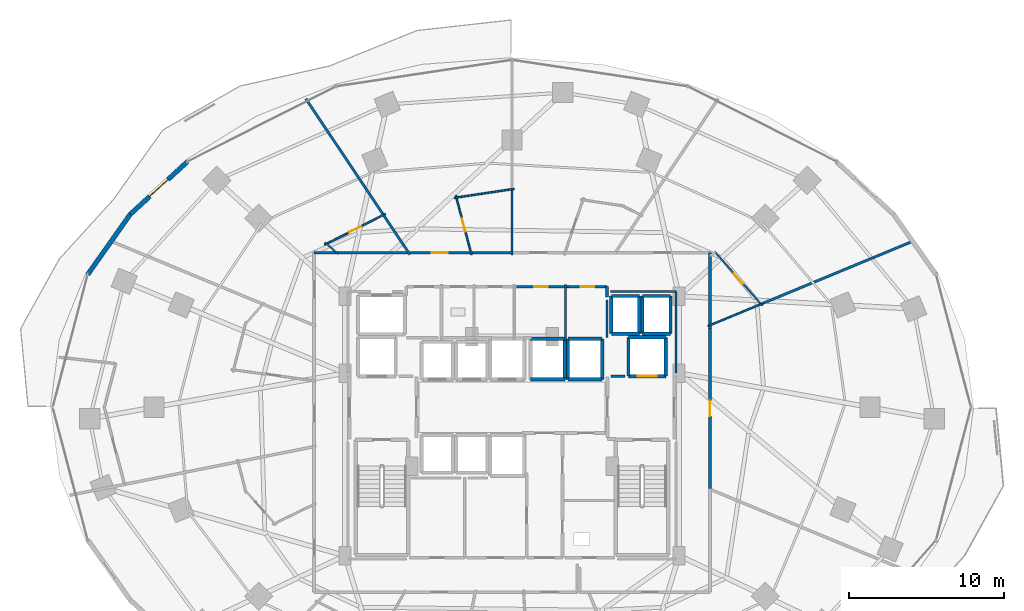
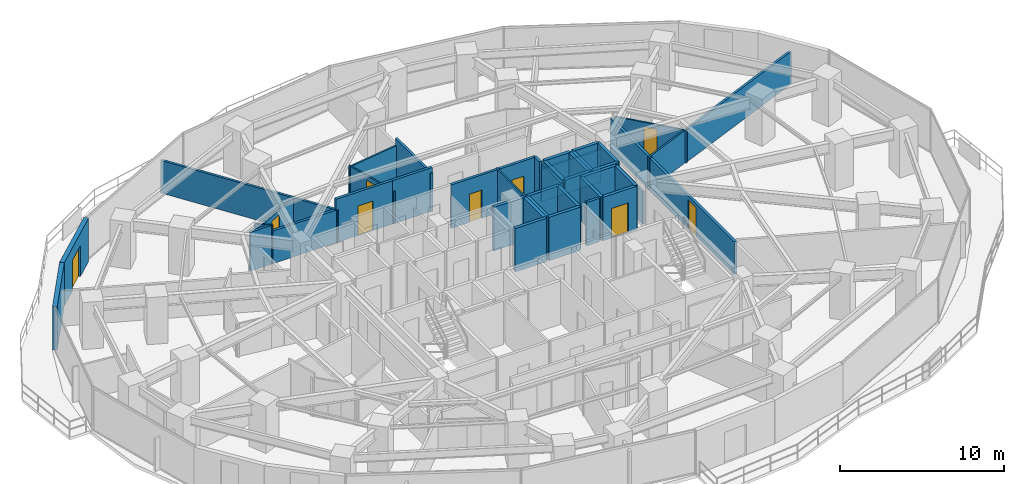
# One storey, part 30 of 35: 45 walls, 9 doors, 9 openings.
"""IFC4 building model written with IfcOpenShell, lengths in metres."""

from ifc_helpers import new_model, si_unit, direction, frame, frame_2d, origin, place, context, subcontext, project, spatial, rectangle, extrude, material, layer, layer_set, type_object, element, fill, save


model = new_model("IFC4")

# Units and contexts
model_context = context("Model", 3, precision=1e-05, world=origin(), true_north=direction((0.0, 1.0)))
body_context = subcontext(model_context, "Body", "Model", "MODEL_VIEW")
ifc_project = project(units=[si_unit("LENGTHUNIT", "METRE"), si_unit("AREAUNIT", "SQUARE_METRE"), si_unit("VOLUMEUNIT", "CUBIC_METRE"), si_unit("PLANEANGLEUNIT", "RADIAN"), si_unit("MASSUNIT", "GRAM", prefix="KILO")], contexts=[model_context])

# Site, building, storey
site_placement = place(None, origin())
site = spatial("IfcSite", under=ifc_project, at=site_placement, CompositionType="ELEMENT")
building_placement = place(site_placement, origin())
building = spatial("IfcBuilding", under=site, at=building_placement, Name="Vorneva Point Tower", CompositionType="ELEMENT")
storey_placement = place(building_placement, frame((0.0, 0.0, 45.0)))
storey = spatial("IfcBuildingStorey", under=building, at=storey_placement, Name="L11", CompositionType="ELEMENT", Elevation=45.0)

# Wall, opening, door
ifc_material_1 = material(Name="Concrete B60 (C50/60)", Category="concrete")
ifc_layer_1 = layer(ifc_material_1, 0.5)
ifc_layer_set_1 = layer_set([ifc_layer_1], Name="Concrete B60 (C50/60)")
wall_type_1 = type_object("IfcWallType", Name="WL-CORE-500", PredefinedType="SHEAR", material=ifc_layer_set_1)
wall_1_placement = place(storey_placement, frame((45.5, 28.0, 0.0), z_axis=(0.0, 0.0, 1.0), x_axis=(1.0, 0.0, 0.0)))
wall_1 = element("IfcWall", 1, at=wall_1_placement, inside=storey, type_object=wall_type_1, Name="L11 Lift FFL2 Shaft Wall -Y", PredefinedType="SHEAR", context=body_context, shape_type="SweptSolid", body=[
    extrude(rectangle(XDim=2.39990234375, YDim=0.219970703125, at=frame_2d((1.199951171875, 0.0))), origin(), (0.0, 0.0, 1.0), 3.239990234375),
])
opening_1_placement = place(wall_1_placement, frame((0.60009765625, 0.0, 0.0)))
opening_1 = element("IfcOpeningElement", 2, at=opening_1_placement, cuts=wall_1, Name="Opening LD-02", PredefinedType="OPENING", context=body_context, shape_type="SweptSolid", body=[
    extrude(rectangle(XDim=1.199951171875, YDim=2.199951171875, at=frame_2d((0.60009765625, 1.10009765625))), frame((0.0, 0.125, 0.0), z_axis=(0.0, -1.0, 0.0), x_axis=(1.0, 0.0, 0.0)), (0.0, 0.0, 1.0), 0.249755859375),
])
ifc_material_2 = material(Name="Brushed stainless steel S304", Category="steel")
door_type_1 = type_object("IfcDoorType", Name="LD-FIRE-1200", OperationType="SLIDING_TO_LEFT", PredefinedType="DOOR", material=ifc_material_2)
door_1_placement = place(opening_1_placement, origin())
door_1 = element("IfcDoor", 3, at=door_1_placement, inside=storey, type_object=door_type_1, Name="L11 Lift FFL2 Sliding Landing Door", OperationType="SLIDING_TO_LEFT", OverallHeight=2.199951171875, OverallWidth=1.199951171875, PredefinedType="DOOR", context=body_context, shape_type="SweptSolid", body=[
    extrude(rectangle(XDim=1.199951171875, YDim=2.199951171875, at=frame_2d((0.60009765625, 1.10009765625))), frame((0.0, 0.02490234375, 0.0), z_axis=(0.0, -1.0, 0.0), x_axis=(1.0, 0.0, 0.0)), (0.0, 0.0, 1.0), 0.050048828125),
])
fill(opening_1, door_1)

# Walls
wall_2_placement = place(storey_placement, frame((47.89990234375, 28.0, 0.0), z_axis=(0.0, 0.0, 1.0), x_axis=(0.0, 1.0, 0.0)))
element("IfcWall", 4, at=wall_2_placement, inside=storey, type_object=wall_type_1, Name="L11 Lift FFL2 Shaft Wall +X", PredefinedType="SHEAR", context=body_context, shape_type="SweptSolid", body=[
    extrude(rectangle(XDim=2.5, YDim=0.219970703125, at=frame_2d((1.25, 0.0))), origin(), (0.0, 0.0, 1.0), 3.239990234375),
])
wall_3_placement = place(storey_placement, frame((47.89990234375, 30.5, 0.0), z_axis=(0.0, 0.0, 1.0), x_axis=(-1.0, 0.0, 0.0)))
element("IfcWall", 5, at=wall_3_placement, inside=storey, type_object=wall_type_1, Name="L11 Lift FFL2 Shaft Wall +Y", PredefinedType="SHEAR", context=body_context, shape_type="SweptSolid", body=[
    extrude(rectangle(XDim=2.39990234375, YDim=0.219970703125, at=frame_2d((1.199951171875, 0.0))), origin(), (0.0, 0.0, 1.0), 3.239990234375),
])
wall_4_placement = place(storey_placement, frame((45.5, 30.5, 0.0), z_axis=(0.0, 0.0, 1.0), x_axis=(0.0, -1.0, 0.0)))
element("IfcWall", 6, at=wall_4_placement, inside=storey, type_object=wall_type_1, Name="L11 Lift FFL2 Shaft Wall -X", PredefinedType="SHEAR", context=body_context, shape_type="SweptSolid", body=[
    extrude(rectangle(XDim=2.5, YDim=0.219970703125, at=frame_2d((1.25, 0.0))), origin(), (0.0, 0.0, 1.0), 3.239990234375),
])

# Wall, opening, door
ifc_material_3 = material(Name="Precast concrete B50 (C40/50)", Category="concrete")
ifc_layer_2 = layer(ifc_material_3, 0.300048828125)
ifc_layer_set_2 = layer_set([ifc_layer_2], Name="Precast concrete B50 (C40/50)")
wall_type_2 = type_object("IfcWallType", Name="WL-EXT-300", PredefinedType="STANDARD", material=ifc_layer_set_2)
wall_5_placement = place(storey_placement, frame((17.10498046875, 41.8037109375, 0.0), z_axis=(0.0, 0.0, 1.0), x_axis=(-0.735342629635, -0.677695519419, 0.0)))
wall_5 = element("IfcWall", 7, at=wall_5_placement, inside=storey, type_object=wall_type_2, Name="L11 Pale-Metal Facade Spandrel Wall 07.1", PredefinedType="STANDARD", context=body_context, shape_type="SweptSolid", body=[
    extrude(rectangle(XDim=4.997314453125, YDim=0.300048828125, at=frame_2d((2.49853515625, 0.0))), origin(), (0.0, 0.0, 1.0), 3.239990234375),
])
opening_2_placement = place(wall_5_placement, frame((1.69873046875, 0.0, 0.0)))
opening_2 = element("IfcOpeningElement", 8, at=opening_2_placement, cuts=wall_5, Name="Opening BD-01", PredefinedType="OPENING", context=body_context, shape_type="SweptSolid", body=[
    extrude(rectangle(XDim=1.60009765625, YDim=2.300048828125, at=frame_2d((0.800048828125, 1.14990234375))), frame((0.0, 0.1650390625, 0.0), z_axis=(0.0, -1.0, 0.0), x_axis=(1.0, 0.0, 0.0)), (0.0, 0.0, 1.0), 0.329833984375),
])
ifc_material_4 = material(Name="Pale anodised aluminium", Category="aluminium")
door_type_2 = type_object("IfcDoorType", Name="DR-BAL-1600", OperationType="SLIDING_TO_LEFT", PredefinedType="DOOR", material=ifc_material_4)
door_2_placement = place(opening_2_placement, origin())
door_2 = element("IfcDoor", 9, at=door_2_placement, inside=storey, type_object=door_type_2, Name="L11 Balcony Terrace Access Door 07", OperationType="SLIDING_TO_LEFT", OverallHeight=2.300048828125, OverallWidth=1.60009765625, PredefinedType="DOOR", context=body_context, shape_type="SweptSolid", body=[
    extrude(rectangle(XDim=1.60009765625, YDim=2.300048828125, at=frame_2d((0.800048828125, 1.14990234375))), frame((0.0, 0.02490234375, 0.0), z_axis=(0.0, -1.0, 0.0), x_axis=(1.0, 0.0, 0.0)), (0.0, 0.0, 1.0), 0.050048828125),
])
fill(opening_2, door_2)

# Walls
wall_6_placement = place(storey_placement, frame((13.43017578125, 38.4169921875, 0.0), z_axis=(0.0, 0.0, 1.0), x_axis=(-0.577130815624, -0.816651713803, 0.0)))
element("IfcWall", 10, at=wall_6_placement, inside=storey, type_object=wall_type_2, Name="L11 Pale-Metal Facade Spandrel Wall 07.2", PredefinedType="STANDARD", context=body_context, shape_type="SweptSolid", body=[
    extrude(rectangle(XDim=4.7314453125, YDim=0.300048828125, at=frame_2d((2.36572265625, 0.0))), origin(), (0.0, 0.0, 1.0), 3.239990234375),
])
ifc_material_5 = material(Name="Fire-rated acoustic gypsum stud partition", Category="gypsum")
ifc_layer_3 = layer(ifc_material_5, 0.110107421875)
ifc_layer_set_3 = layer_set([ifc_layer_3], Name="Fire-rated acoustic gypsum stud partition")
wall_type_3 = type_object("IfcWallType", Name="WL-PART-110", PredefinedType="PARTITIONING", material=ifc_layer_set_3)
wall_7_placement = place(storey_placement, frame((41.449951171875, 30.340087890625, 0.0), z_axis=(0.0, 0.0, 1.0), x_axis=(0.0, 1.0, 0.0)))
element("IfcWall", 11, at=wall_7_placement, inside=storey, type_object=wall_type_3, Name="L11 Interior Partition 021", PredefinedType="PARTITIONING", context=body_context, shape_type="SweptSolid", body=[
    extrude(rectangle(XDim=3.559814453125, YDim=0.110107421875, at=frame_2d((1.77978515625, 0.0))), origin(), (0.0, 0.0, 1.0), 3.239990234375),
])

# Wall, opening, door
wall_8_placement = place(storey_placement, frame((51.03125, 36.02978515625, 0.0), z_axis=(0.0, 0.0, 1.0), x_axis=(0.662106207726, -0.749410014405, 0.0)))
wall_8 = element("IfcWall", 12, at=wall_8_placement, inside=storey, type_object=wall_type_3, Name="L11 Interior Partition 052", PredefinedType="PARTITIONING", context=body_context, shape_type="SweptSolid", body=[
    extrude(rectangle(XDim=4.66455078125, YDim=0.110107421875, at=frame_2d((2.332275390625, 0.0))), origin(), (0.0, 0.0, 1.0), 2.431884765625),
])
opening_3_placement = place(wall_8_placement, frame((1.9072265625, 0.0, 0.0)))
opening_3 = element("IfcOpeningElement", 13, at=opening_3_placement, cuts=wall_8, Name="Opening ID-02", PredefinedType="OPENING", context=body_context, shape_type="SweptSolid", body=[
    extrude(rectangle(XDim=0.85009765625, YDim=2.10009765625, at=frame_2d((0.425048828125, 1.050048828125))), frame((0.0, 0.06982421875, 0.0), z_axis=(0.0, -1.0, 0.0), x_axis=(1.0, 0.0, 0.0)), (0.0, 0.0, 1.0), 0.139892578125),
])
ifc_material_6 = material(Name="Engineered oak fire-rated door leaf", Category="wood")
door_type_3 = type_object("IfcDoorType", Name="DR-BATH-850", OperationType="NOTDEFINED", PredefinedType="DOOR", material=ifc_material_6)
door_3_placement = place(opening_3_placement, origin())
door_3 = element("IfcDoor", 14, at=door_3_placement, inside=storey, type_object=door_type_3, Name="L11 Door Corner Suite L11-01 / En-Suite Bathroom L11-01", OperationType="SINGLE_SWING_LEFT", OverallHeight=2.10009765625, OverallWidth=0.85009765625, PredefinedType="DOOR", context=body_context, shape_type="SweptSolid", body=[
    extrude(rectangle(XDim=0.85009765625, YDim=2.10009765625, at=frame_2d((0.425048828125, 1.050048828125))), frame((0.0, 0.02490234375, 0.0), z_axis=(0.0, -1.0, 0.0), x_axis=(1.0, 0.0, 0.0)), (0.0, 0.0, 1.0), 0.050048828125),
])
fill(opening_3, door_3)

# Walls
wall_9_placement = place(storey_placement, frame((54.15625, 32.692626953125, 0.0), z_axis=(0.0, 0.0, 1.0), x_axis=(-0.923803754276, -0.382866326002, 0.0)))
element("IfcWall", 15, at=wall_9_placement, inside=storey, type_object=wall_type_3, Name="L11 Interior Partition 053", PredefinedType="PARTITIONING", context=body_context, shape_type="SweptSolid", body=[
    extrude(rectangle(XDim=3.8271484375, YDim=0.110107421875, at=frame_2d((1.91357421875, 0.0))), origin(), (0.0, 0.0, 1.0), 2.431884765625),
])
wall_10_placement = place(storey_placement, frame((34.28271484375, 39.477294921875, 0.0), z_axis=(0.0, 0.0, 1.0), x_axis=(0.988889916837, 0.148649696864, 0.0)))
element("IfcWall", 16, at=wall_10_placement, inside=storey, type_object=wall_type_3, Name="L11 Interior Partition 061", PredefinedType="PARTITIONING", context=body_context, shape_type="SweptSolid", body=[
    extrude(rectangle(XDim=3.89892578125, YDim=0.110107421875, at=frame_2d((1.949462890625, 0.0))), origin(), (0.0, 0.0, 1.0), 2.431884765625),
])

# Wall, opening, door
wall_11_placement = place(storey_placement, frame((35.39794921875, 35.814697265625, 0.0), z_axis=(0.0, 0.0, 1.0), x_axis=(-0.256396995263, 0.966571560113, 0.0)))
wall_11 = element("IfcWall", 17, at=wall_11_placement, inside=storey, type_object=wall_type_3, Name="L11 Interior Partition 062", PredefinedType="PARTITIONING", context=body_context, shape_type="SweptSolid", body=[
    extrude(rectangle(XDim=3.95068359375, YDim=0.110107421875, at=frame_2d((1.975341796875, 0.0))), origin(), (0.0, 0.0, 1.0), 2.431884765625),
])
opening_4_placement = place(wall_11_placement, frame((1.55029296875, 0.0, 0.0)))
opening_4 = element("IfcOpeningElement", 18, at=opening_4_placement, cuts=wall_11, Name="Opening ID-02", PredefinedType="OPENING", context=body_context, shape_type="SweptSolid", body=[
    extrude(rectangle(XDim=0.85009765625, YDim=2.10009765625, at=frame_2d((0.425048828125, 1.050048828125))), frame((0.0, 0.06982421875, 0.0), z_axis=(0.0, -1.0, 0.0), x_axis=(1.0, 0.0, 0.0)), (0.0, 0.0, 1.0), 0.139892578125),
])
door_4_placement = place(opening_4_placement, origin())
door_4 = element("IfcDoor", 19, at=door_4_placement, inside=storey, type_object=door_type_3, Name="L11 Door Executive Suite L11-03 / En-Suite Bathroom L11-03", OperationType="SINGLE_SWING_LEFT", OverallHeight=2.10009765625, OverallWidth=0.85009765625, PredefinedType="DOOR", context=body_context, shape_type="SweptSolid", body=[
    extrude(rectangle(XDim=0.85009765625, YDim=2.10009765625, at=frame_2d((0.425048828125, 1.050048828125))), frame((0.0, 0.02490234375, 0.0), z_axis=(0.0, -1.0, 0.0), x_axis=(1.0, 0.0, 0.0)), (0.0, 0.0, 1.0), 0.050048828125),
])
fill(opening_4, door_4)

# Wall
wall_12_placement = place(storey_placement, frame((26.819091796875, 35.857421875, 0.0), z_axis=(0.0, 0.0, 1.0), x_axis=(-0.750624975639, 0.660728496394, 0.0)))
element("IfcWall", 20, at=wall_12_placement, inside=storey, type_object=wall_type_3, Name="L11 Interior Partition 065", PredefinedType="PARTITIONING", context=body_context, shape_type="SweptSolid", body=[
    extrude(rectangle(XDim=1.148681640625, YDim=0.110107421875, at=frame_2d((0.57421875, 0.0))), origin(), (0.0, 0.0, 1.0), 2.885986328125),
])

# Wall, opening, door
wall_13_placement = place(storey_placement, frame((25.93701171875, 36.460693359375, 0.0), z_axis=(0.0, 0.0, 1.0), x_axis=(0.892461080662, 0.451124394711, 0.0)))
wall_13 = element("IfcWall", 21, at=wall_13_placement, inside=storey, type_object=wall_type_3, Name="L11 Interior Partition 066", PredefinedType="PARTITIONING", context=body_context, shape_type="SweptSolid", body=[
    extrude(rectangle(XDim=4.39013671875, YDim=0.110107421875, at=frame_2d((2.195068359375, 0.0))), origin(), (0.0, 0.0, 1.0), 2.431884765625),
])
opening_5_placement = place(wall_13_placement, frame((1.77001953125, 0.0, 0.0)))
opening_5 = element("IfcOpeningElement", 22, at=opening_5_placement, cuts=wall_13, Name="Opening ID-02", PredefinedType="OPENING", context=body_context, shape_type="SweptSolid", body=[
    extrude(rectangle(XDim=0.85009765625, YDim=2.10009765625, at=frame_2d((0.425048828125, 1.050048828125))), frame((0.0, 0.06982421875, 0.0), z_axis=(0.0, -1.0, 0.0), x_axis=(1.0, 0.0, 0.0)), (0.0, 0.0, 1.0), 0.139892578125),
])
door_5_placement = place(opening_5_placement, origin())
door_5 = element("IfcDoor", 23, at=door_5_placement, inside=storey, type_object=door_type_3, Name="L11 Door Corner Suite L11-04 / En-Suite Bathroom L11-04", OperationType="SINGLE_SWING_RIGHT", OverallHeight=2.10009765625, OverallWidth=0.85009765625, PredefinedType="DOOR", context=body_context, shape_type="SweptSolid", body=[
    extrude(rectangle(XDim=0.85009765625, YDim=2.10009765625, at=frame_2d((0.425048828125, 1.050048828125))), frame((0.0, 0.02490234375, 0.0), z_axis=(0.0, -1.0, 0.0), x_axis=(1.0, 0.0, 0.0)), (0.0, 0.0, 1.0), 0.050048828125),
])
fill(opening_5, door_5)

# Walls
ifc_layer_4 = layer(ifc_material_5, 0.139892578125)
ifc_layer_set_4 = layer_set([ifc_layer_4], Name="Fire-rated acoustic gypsum stud partition")
wall_type_4 = type_object("IfcWallType", Name="WL-PART-140", PredefinedType="PARTITIONING", material=ifc_layer_set_4)
wall_14_placement = place(storey_placement, frame((44.1201171875, 30.47998046875, 0.0), z_axis=(0.0, 0.0, 1.0), x_axis=(0.0, 1.0, 0.0)))
element("IfcWall", 24, at=wall_14_placement, inside=storey, type_object=wall_type_4, Name="L11 Interior Closure Partition 097", PredefinedType="PARTITIONING", context=body_context, shape_type="SweptSolid", body=[
    extrude(rectangle(XDim=2.409912109375, YDim=0.139892578125, at=frame_2d((1.205078125, 0.0))), origin(), (0.0, 0.0, 1.0), 3.239990234375),
])
wall_15_placement = place(storey_placement, frame((44.340087890625, 33.449951171875, 0.0), z_axis=(0.0, 0.0, 1.0), x_axis=(1.0, 0.0, 0.0)))
element("IfcWall", 25, at=wall_15_placement, inside=storey, type_object=wall_type_4, Name="L11 Interior Closure Partition 100", PredefinedType="PARTITIONING", context=body_context, shape_type="SweptSolid", body=[
    extrude(rectangle(XDim=4.2099609375, YDim=0.139892578125, at=frame_2d((2.10498046875, 0.0))), origin(), (0.0, 0.0, 1.0), 2.431884765625),
])
wall_16_placement = place(storey_placement, frame((48.550048828125, 33.449951171875, 0.0), z_axis=(0.0, 0.0, 1.0), x_axis=(0.0, -1.0, 0.0)))
element("IfcWall", 26, at=wall_16_placement, inside=storey, type_object=wall_type_4, Name="L11 Interior Closure Partition 101", PredefinedType="PARTITIONING", context=body_context, shape_type="SweptSolid", body=[
    extrude(rectangle(XDim=5.25390625, YDim=0.139892578125, at=frame_2d((2.626953125, 0.0))), origin(), (0.0, 0.0, 1.0), 2.431884765625),
])
ifc_layer_5 = layer(ifc_material_5, 0.159912109375)
ifc_layer_set_5 = layer_set([ifc_layer_5], Name="Fire-rated acoustic gypsum stud partition")
wall_type_5 = type_object("IfcWallType", Name="WL-PART-160", PredefinedType="PARTITIONING", material=ifc_layer_set_5)
wall_17_placement = place(storey_placement, frame((54.156494140625, 32.692138671875, 0.0), z_axis=(0.0, 0.0, 1.0), x_axis=(0.923866486063, 0.38271492776, 0.0)))
element("IfcWall", 27, at=wall_17_placement, inside=storey, type_object=wall_type_5, Name="L11 Interior Partition 055", PredefinedType="PARTITIONING", context=body_context, shape_type="SweptSolid", body=[
    extrude(rectangle(XDim=10.4306640625, YDim=0.159912109375, at=frame_2d((5.21533203125, 0.0))), origin(), (0.0, 0.0, 1.0), 2.431884765625),
])
wall_18_placement = place(storey_placement, frame((38.0, 40.114990234375, 0.0), z_axis=(0.0, 0.0, 1.0), x_axis=(0.0, -1.0, 0.0)))
element("IfcWall", 28, at=wall_18_placement, inside=storey, type_object=wall_type_5, Name="L11 Interior Partition 060", PredefinedType="PARTITIONING", context=body_context, shape_type="SweptSolid", body=[
    extrude(rectangle(XDim=4.304931640625, YDim=0.159912109375, at=frame_2d((2.15234375, 0.0))), origin(), (0.0, 0.0, 1.0), 2.885986328125),
])
wall_19_placement = place(storey_placement, frame((24.73291015625, 45.85595703125, 0.0), z_axis=(0.0, 0.0, 1.0), x_axis=(0.555564858458, -0.831473203444, 0.0)))
element("IfcWall", 29, at=wall_19_placement, inside=storey, type_object=wall_type_5, Name="L11 Interior Partition 063", PredefinedType="PARTITIONING", context=body_context, shape_type="SweptSolid", body=[
    extrude(rectangle(XDim=9.053955078125, YDim=0.159912109375, at=frame_2d((4.52685546875, 0.0))), origin(), (0.0, 0.0, 1.0), 2.431884765625),
])
wall_20_placement = place(storey_placement, frame((29.68505859375, 38.4443359375, 0.0), z_axis=(0.0, 0.0, 1.0), x_axis=(0.555596981897, -0.831451738652, 0.0)))
element("IfcWall", 30, at=wall_20_placement, inside=storey, type_object=wall_type_5, Name="L11 Interior Partition 064", PredefinedType="PARTITIONING", context=body_context, shape_type="SweptSolid", body=[
    extrude(rectangle(XDim=3.14013671875, YDim=0.159912109375, at=frame_2d((1.570068359375, 0.0))), origin(), (0.0, 0.0, 1.0), 2.431884765625),
])

# Wall, opening, door
ifc_material_7 = material(Name="Autoclaved aerated concrete blockwork", Category="masonry")
ifc_layer_6 = layer(ifc_material_7, 0.179931640625)
ifc_layer_set_6 = layer_set([ifc_layer_6], Name="Autoclaved aerated concrete blockwork")
wall_type_6 = type_object("IfcWallType", Name="WL-PART-180", PredefinedType="PARTITIONING", material=ifc_layer_set_6)
wall_21_placement = place(storey_placement, frame((41.590087890625, 33.760009765625, 0.0), z_axis=(0.0, 0.0, 1.0), x_axis=(-1.0, 0.0, 0.0)))
wall_21 = element("IfcWall", 31, at=wall_21_placement, inside=storey, type_object=wall_type_6, Name="L11 Interior Partition 022", PredefinedType="PARTITIONING", context=body_context, shape_type="SweptSolid", body=[
    extrude(rectangle(XDim=3.440185546875, YDim=0.179931640625, at=frame_2d((1.72021484375, 0.0))), origin(), (0.0, 0.0, 1.0), 3.239990234375),
])
opening_6_placement = place(wall_21_placement, frame((1.294921875, 0.0, 0.0)))
opening_6 = element("IfcOpeningElement", 32, at=opening_6_placement, cuts=wall_21, Name="Opening ID-02", PredefinedType="OPENING", context=body_context, shape_type="SweptSolid", body=[
    extrude(rectangle(XDim=0.85009765625, YDim=2.10009765625, at=frame_2d((0.425048828125, 1.050048828125))), frame((0.0, 0.10498046875, 0.0), z_axis=(0.0, -1.0, 0.0), x_axis=(1.0, 0.0, 0.0)), (0.0, 0.0, 1.0), 0.209716796875),
])
door_6_placement = place(opening_6_placement, origin())
door_6 = element("IfcDoor", 33, at=door_6_placement, inside=storey, type_object=door_type_3, Name="L11 Door Public Female WC / L11 Circulation Corridor", OperationType="SINGLE_SWING_LEFT", OverallHeight=2.10009765625, OverallWidth=0.85009765625, PredefinedType="DOOR", context=body_context, shape_type="SweptSolid", body=[
    extrude(rectangle(XDim=0.85009765625, YDim=2.10009765625, at=frame_2d((0.425048828125, 1.050048828125))), frame((0.0, 0.02490234375, 0.0), z_axis=(0.0, -1.0, 0.0), x_axis=(1.0, 0.0, 0.0)), (0.0, 0.0, 1.0), 0.050048828125),
])
fill(opening_6, door_6)

wall_22_placement = place(storey_placement, frame((44.1201171875, 33.760009765625, 0.0), z_axis=(0.0, 0.0, 1.0), x_axis=(-1.0, 0.0, 0.0)))
wall_22 = element("IfcWall", 34, at=wall_22_placement, inside=storey, type_object=wall_type_6, Name="L11 Interior Partition 023", PredefinedType="PARTITIONING", context=body_context, shape_type="SweptSolid", body=[
    extrude(rectangle(XDim=2.530029296875, YDim=0.179931640625, at=frame_2d((1.26513671875, 0.0))), origin(), (0.0, 0.0, 1.0), 3.239990234375),
])
opening_7_placement = place(wall_22_placement, frame((0.840087890625, 0.0, 0.0)))
opening_7 = element("IfcOpeningElement", 35, at=opening_7_placement, cuts=wall_22, Name="Opening ID-02", PredefinedType="OPENING", context=body_context, shape_type="SweptSolid", body=[
    extrude(rectangle(XDim=0.85009765625, YDim=2.10009765625, at=frame_2d((0.425048828125, 1.050048828125))), frame((0.0, 0.10498046875, 0.0), z_axis=(0.0, -1.0, 0.0), x_axis=(1.0, 0.0, 0.0)), (0.0, 0.0, 1.0), 0.209716796875),
])
door_7_placement = place(opening_7_placement, origin())
door_7 = element("IfcDoor", 36, at=door_7_placement, inside=storey, type_object=door_type_3, Name="L11 Door Cleaners Store / L11 Circulation Corridor", OperationType="SINGLE_SWING_RIGHT", OverallHeight=2.10009765625, OverallWidth=0.85009765625, PredefinedType="DOOR", context=body_context, shape_type="SweptSolid", body=[
    extrude(rectangle(XDim=0.85009765625, YDim=2.10009765625, at=frame_2d((0.425048828125, 1.050048828125))), frame((0.0, 0.02490234375, 0.0), z_axis=(0.0, -1.0, 0.0), x_axis=(1.0, 0.0, 0.0)), (0.0, 0.0, 1.0), 0.050048828125),
])
fill(opening_7, door_7)

# Walls
wall_23_placement = place(storey_placement, frame((44.1201171875, 33.110107421875, 0.0), z_axis=(0.0, 0.0, 1.0), x_axis=(0.0, 1.0, 0.0)))
element("IfcWall", 37, at=wall_23_placement, inside=storey, type_object=wall_type_6, Name="L11 Interior Partition 024", PredefinedType="PARTITIONING", context=body_context, shape_type="SweptSolid", body=[
    extrude(rectangle(XDim=0.64990234375, YDim=0.179931640625, at=frame_2d((0.324951171875, 0.0))), origin(), (0.0, 0.0, 1.0), 3.239990234375),
])
wall_24_placement = place(storey_placement, frame((50.75, 31.0810546875, 0.0), z_axis=(0.0, 0.0, 1.0), x_axis=(0.0, 1.0, 0.0)))
element("IfcWall", 38, at=wall_24_placement, inside=storey, type_object=wall_type_6, Name="L11 Interior Partition 029", PredefinedType="PARTITIONING", context=body_context, shape_type="SweptSolid", body=[
    extrude(rectangle(XDim=4.864990234375, YDim=0.179931640625, at=frame_2d((2.4326171875, 0.0))), origin(), (0.0, 0.0, 1.0), 2.431884765625),
])

# Wall, opening, door
wall_25_placement = place(storey_placement, frame((35.422119140625, 35.949951171875, 0.0), z_axis=(0.0, 0.0, 1.0), x_axis=(-1.0, 0.0, 0.0)))
wall_25 = element("IfcWall", 39, at=wall_25_placement, inside=storey, type_object=wall_type_6, Name="L11 Interior Partition 032", PredefinedType="PARTITIONING", context=body_context, shape_type="SweptSolid", body=[
    extrude(rectangle(XDim=4.14208984375, YDim=0.179931640625, at=frame_2d((2.071044921875, 0.0))), origin(), (0.0, 0.0, 1.0), 3.239990234375),
])
opening_8_placement = place(wall_25_placement, frame((1.5458984375, 0.0, 0.0)))
opening_8 = element("IfcOpeningElement", 40, at=opening_8_placement, cuts=wall_25, Name="Opening UD-02", PredefinedType="OPENING", context=body_context, shape_type="SweptSolid", body=[
    extrude(rectangle(XDim=1.050048828125, YDim=2.199951171875, at=frame_2d((0.52490234375, 1.10009765625))), frame((0.0, 0.10498046875, 0.0), z_axis=(0.0, -1.0, 0.0), x_axis=(1.0, 0.0, 0.0)), (0.0, 0.0, 1.0), 0.209716796875),
])
door_type_4 = type_object("IfcDoorType", Name="DR-SUITE-1050", OperationType="NOTDEFINED", PredefinedType="DOOR", material=ifc_material_6)
door_8_placement = place(opening_8_placement, origin())
door_8 = element("IfcDoor", 41, at=door_8_placement, inside=storey, type_object=door_type_4, Name="L11 Door L11 Circulation Corridor / Executive Suite L11-03", OperationType="SINGLE_SWING_LEFT", OverallHeight=2.199951171875, OverallWidth=1.050048828125, PredefinedType="DOOR", context=body_context, shape_type="SweptSolid", body=[
    extrude(rectangle(XDim=1.050048828125, YDim=2.199951171875, at=frame_2d((0.52490234375, 1.10009765625))), frame((0.0, 0.02490234375, 0.0), z_axis=(0.0, -1.0, 0.0), x_axis=(1.0, 0.0, 0.0)), (0.0, 0.0, 1.0), 0.050048828125),
])
fill(opening_8, door_8)

# Walls
wall_26_placement = place(storey_placement, frame((38.080078125, 35.949951171875, 0.0), z_axis=(0.0, 0.0, 1.0), x_axis=(-1.0, 0.0, 0.0)))
element("IfcWall", 42, at=wall_26_placement, inside=storey, type_object=wall_type_6, Name="L11 Interior Partition 033", PredefinedType="PARTITIONING", context=body_context, shape_type="SweptSolid", body=[
    extrude(rectangle(XDim=2.798095703125, YDim=0.179931640625, at=frame_2d((1.39892578125, 0.0))), origin(), (0.0, 0.0, 1.0), 3.239990234375),
])
wall_27_placement = place(storey_placement, frame((26.77392578125, 35.949951171875, 0.0), z_axis=(0.0, 0.0, 1.0), x_axis=(-1.0, 0.0, 0.0)))
element("IfcWall", 43, at=wall_27_placement, inside=storey, type_object=wall_type_6, Name="L11 Interior Partition 034", PredefinedType="PARTITIONING", context=body_context, shape_type="SweptSolid", body=[
    extrude(rectangle(XDim=1.52392578125, YDim=0.179931640625, at=frame_2d((0.761962890625, 0.0))), origin(), (0.0, 0.0, 1.0), 2.885986328125),
])
wall_28_placement = place(storey_placement, frame((31.419921875, 35.949951171875, 0.0), z_axis=(0.0, 0.0, 1.0), x_axis=(-1.0, 0.0, 0.0)))
element("IfcWall", 44, at=wall_28_placement, inside=storey, type_object=wall_type_6, Name="L11 Interior Partition 036", PredefinedType="PARTITIONING", context=body_context, shape_type="SweptSolid", body=[
    extrude(rectangle(XDim=4.785888671875, YDim=0.179931640625, at=frame_2d((2.39306640625, 0.0))), origin(), (0.0, 0.0, 1.0), 2.431884765625),
])

# Wall, opening, door
wall_29_placement = place(storey_placement, frame((50.75, 20.779052734375, 0.0), z_axis=(0.0, 0.0, 1.0), x_axis=(0.0, 1.0, 0.0)))
wall_29 = element("IfcWall", 45, at=wall_29_placement, inside=storey, type_object=wall_type_6, Name="L11 Interior Partition 051", PredefinedType="PARTITIONING", context=body_context, shape_type="SweptSolid", body=[
    extrude(rectangle(XDim=10.302001953125, YDim=0.179931640625, at=frame_2d((5.15087890625, 0.0))), origin(), (0.0, 0.0, 1.0), 2.431884765625),
])
opening_9_placement = place(wall_29_placement, frame((4.65087890625, 0.0, 0.0)))
opening_9 = element("IfcOpeningElement", 46, at=opening_9_placement, cuts=wall_29, Name="Opening UD-01", PredefinedType="OPENING", context=body_context, shape_type="SweptSolid", body=[
    extrude(rectangle(XDim=1.0, YDim=2.14990234375, at=frame_2d((0.5, 1.074951171875))), frame((0.0, 0.10498046875, 0.0), z_axis=(0.0, -1.0, 0.0), x_axis=(1.0, 0.0, 0.0)), (0.0, 0.0, 1.0), 0.209716796875),
])
door_type_5 = type_object("IfcDoorType", Name="DR-UNIT-1000", OperationType="NOTDEFINED", PredefinedType="DOOR", material=ifc_material_6)
door_9_placement = place(opening_9_placement, origin())
door_9 = element("IfcDoor", 47, at=door_9_placement, inside=storey, type_object=door_type_5, Name="L11 Door L11 Circulation Corridor / Hotel Club Lounge L11-10", OperationType="SINGLE_SWING_RIGHT", OverallHeight=2.14990234375, OverallWidth=1.0, PredefinedType="DOOR", context=body_context, shape_type="SweptSolid", body=[
    extrude(rectangle(XDim=1.0, YDim=2.14990234375, at=frame_2d((0.5, 1.074951171875))), frame((0.0, 0.02490234375, 0.0), z_axis=(0.0, -1.0, 0.0), x_axis=(1.0, 0.0, 0.0)), (0.0, 0.0, 1.0), 0.050048828125),
])
fill(opening_9, door_9)

# Walls
wall_30_placement = place(storey_placement, frame((45.280029296875, 28.0, 0.0), z_axis=(0.0, 0.0, 1.0), x_axis=(-1.0, 0.0, 0.0)))
element("IfcWall", 48, at=wall_30_placement, inside=storey, type_object=wall_type_6, Name="L11 Interior Closure Partition 092", PredefinedType="PARTITIONING", context=body_context, shape_type="SweptSolid", body=[
    extrude(rectangle(XDim=0.9150390625, YDim=0.179931640625, at=frame_2d((0.45751953125, 0.0))), origin(), (0.0, 0.0, 1.0), 3.239990234375),
])
ifc_material_8 = material(Name="Concrete B50 (C40/50)", Category="concrete")
ifc_layer_7 = layer(ifc_material_8, 0.219970703125)
ifc_layer_set_7 = layer_set([ifc_layer_7], Name="Concrete B50 (C40/50)")
wall_type_7 = type_object("IfcWallType", Name="WL-SHFT-220", PredefinedType="SOLIDWALL", material=ifc_layer_set_7)
wall_31_placement = place(storey_placement, frame((39.199951171875, 27.800048828125, 0.0), z_axis=(0.0, 0.0, 1.0), x_axis=(1.0, 0.0, 0.0)))
element("IfcWall", 49, at=wall_31_placement, inside=storey, type_object=wall_type_7, Name="L11 Lift PL7 Shaft Wall -Y", PredefinedType="SOLIDWALL", context=body_context, shape_type="SweptSolid", body=[
    extrude(rectangle(XDim=2.199951171875, YDim=0.219970703125, at=frame_2d((1.10009765625, 0.0))), origin(), (0.0, 0.0, 1.0), 3.239990234375),
])
wall_32_placement = place(storey_placement, frame((41.39990234375, 27.800048828125, 0.0), z_axis=(0.0, 0.0, 1.0), x_axis=(0.0, 1.0, 0.0)))
element("IfcWall", 50, at=wall_32_placement, inside=storey, type_object=wall_type_7, Name="L11 Lift PL7 Shaft Wall +X", PredefinedType="SOLIDWALL", context=body_context, shape_type="SweptSolid", body=[
    extrude(rectangle(XDim=2.599853515625, YDim=0.219970703125, at=frame_2d((1.2998046875, 0.0))), origin(), (0.0, 0.0, 1.0), 3.239990234375),
])
for number, where, z_axis, x_axis, name in (
    (51, (41.39990234375, 30.39990234375, 0.0), (0.0, 0.0, 1.0), (-1.0, 0.0, 0.0), "L11 Lift PL7 Shaft Wall +Y"),
    (52, (41.60009765625, 27.800048828125, 0.0), (0.0, 0.0, 1.0), (1.0, 0.0, 0.0), "L11 Lift PL8 Shaft Wall -Y"),
):
    element("IfcWall", number, at=place(storey_placement, frame(where, z_axis=z_axis, x_axis=x_axis)), inside=storey, type_object=wall_type_7, Name=name, PredefinedType="SOLIDWALL", context=body_context, shape_type="SweptSolid", body=[
        extrude(rectangle(XDim=2.199951171875, YDim=0.219970703125, at=frame_2d((1.10009765625, 0.0))), origin(), (0.0, 0.0, 1.0), 3.239990234375),
    ])
wall_33_placement = place(storey_placement, frame((43.800048828125, 27.800048828125, 0.0), z_axis=(0.0, 0.0, 1.0), x_axis=(0.0, 1.0, 0.0)))
element("IfcWall", 53, at=wall_33_placement, inside=storey, type_object=wall_type_7, Name="L11 Lift PL8 Shaft Wall +X", PredefinedType="SOLIDWALL", context=body_context, shape_type="SweptSolid", body=[
    extrude(rectangle(XDim=2.599853515625, YDim=0.219970703125, at=frame_2d((1.2998046875, 0.0))), origin(), (0.0, 0.0, 1.0), 3.239990234375),
])
wall_34_placement = place(storey_placement, frame((43.800048828125, 30.39990234375, 0.0), z_axis=(0.0, 0.0, 1.0), x_axis=(-1.0, 0.0, 0.0)))
element("IfcWall", 54, at=wall_34_placement, inside=storey, type_object=wall_type_7, Name="L11 Lift PL8 Shaft Wall +Y", PredefinedType="SOLIDWALL", context=body_context, shape_type="SweptSolid", body=[
    extrude(rectangle(XDim=2.199951171875, YDim=0.219970703125, at=frame_2d((1.10009765625, 0.0))), origin(), (0.0, 0.0, 1.0), 3.239990234375),
])
wall_35_placement = place(storey_placement, frame((41.60009765625, 30.39990234375, 0.0), z_axis=(0.0, 0.0, 1.0), x_axis=(0.0, -1.0, 0.0)))
element("IfcWall", 55, at=wall_35_placement, inside=storey, type_object=wall_type_7, Name="L11 Lift PL8 Shaft Wall -X", PredefinedType="SOLIDWALL", context=body_context, shape_type="SweptSolid", body=[
    extrude(rectangle(XDim=2.599853515625, YDim=0.219970703125, at=frame_2d((1.2998046875, 0.0))), origin(), (0.0, 0.0, 1.0), 3.239990234375),
])
wall_36_placement = place(storey_placement, frame((44.39990234375, 30.739990234375, 0.0), z_axis=(0.0, 0.0, 1.0), x_axis=(1.0, 0.0, 0.0)))
element("IfcWall", 56, at=wall_36_placement, inside=storey, type_object=wall_type_7, Name="L11 Lift EX1 Shaft Wall -Y", PredefinedType="SOLIDWALL", context=body_context, shape_type="SweptSolid", body=[
    extrude(rectangle(XDim=1.800048828125, YDim=0.219970703125, at=frame_2d((0.89990234375, 0.0))), origin(), (0.0, 0.0, 1.0), 3.239990234375),
])
wall_37_placement = place(storey_placement, frame((46.199951171875, 30.739990234375, 0.0), z_axis=(0.0, 0.0, 1.0), x_axis=(0.0, 1.0, 0.0)))
element("IfcWall", 57, at=wall_37_placement, inside=storey, type_object=wall_type_7, Name="L11 Lift EX1 Shaft Wall +X", PredefinedType="SOLIDWALL", context=body_context, shape_type="SweptSolid", body=[
    extrude(rectangle(XDim=2.419921875, YDim=0.219970703125, at=frame_2d((1.2099609375, 0.0))), origin(), (0.0, 0.0, 1.0), 3.239990234375),
])
wall_38_placement = place(storey_placement, frame((46.199951171875, 33.159912109375, 0.0), z_axis=(0.0, 0.0, 1.0), x_axis=(-1.0, 0.0, 0.0)))
element("IfcWall", 58, at=wall_38_placement, inside=storey, type_object=wall_type_7, Name="L11 Lift EX1 Shaft Wall +Y", PredefinedType="SOLIDWALL", context=body_context, shape_type="SweptSolid", body=[
    extrude(rectangle(XDim=1.800048828125, YDim=0.219970703125, at=frame_2d((0.89990234375, 0.0))), origin(), (0.0, 0.0, 1.0), 3.239990234375),
])
wall_39_placement = place(storey_placement, frame((44.39990234375, 33.159912109375, 0.0), z_axis=(0.0, 0.0, 1.0), x_axis=(0.0, -1.0, 0.0)))
element("IfcWall", 59, at=wall_39_placement, inside=storey, type_object=wall_type_7, Name="L11 Lift EX1 Shaft Wall -X", PredefinedType="SOLIDWALL", context=body_context, shape_type="SweptSolid", body=[
    extrude(rectangle(XDim=2.419921875, YDim=0.219970703125, at=frame_2d((1.2099609375, 0.0))), origin(), (0.0, 0.0, 1.0), 3.239990234375),
])
wall_40_placement = place(storey_placement, frame((46.39990234375, 30.739990234375, 0.0), z_axis=(0.0, 0.0, 1.0), x_axis=(1.0, 0.0, 0.0)))
element("IfcWall", 60, at=wall_40_placement, inside=storey, type_object=wall_type_7, Name="L11 Lift EX2 Shaft Wall -Y", PredefinedType="SOLIDWALL", context=body_context, shape_type="SweptSolid", body=[
    extrude(rectangle(XDim=1.800048828125, YDim=0.219970703125, at=frame_2d((0.89990234375, 0.0))), origin(), (0.0, 0.0, 1.0), 3.239990234375),
])
wall_41_placement = place(storey_placement, frame((48.199951171875, 30.739990234375, 0.0), z_axis=(0.0, 0.0, 1.0), x_axis=(0.0, 1.0, 0.0)))
element("IfcWall", 61, at=wall_41_placement, inside=storey, type_object=wall_type_7, Name="L11 Lift EX2 Shaft Wall +X", PredefinedType="SOLIDWALL", context=body_context, shape_type="SweptSolid", body=[
    extrude(rectangle(XDim=2.419921875, YDim=0.219970703125, at=frame_2d((1.2099609375, 0.0))), origin(), (0.0, 0.0, 1.0), 3.239990234375),
])
wall_42_placement = place(storey_placement, frame((48.199951171875, 33.159912109375, 0.0), z_axis=(0.0, 0.0, 1.0), x_axis=(-1.0, 0.0, 0.0)))
element("IfcWall", 62, at=wall_42_placement, inside=storey, type_object=wall_type_7, Name="L11 Lift EX2 Shaft Wall +Y", PredefinedType="SOLIDWALL", context=body_context, shape_type="SweptSolid", body=[
    extrude(rectangle(XDim=1.800048828125, YDim=0.219970703125, at=frame_2d((0.89990234375, 0.0))), origin(), (0.0, 0.0, 1.0), 3.239990234375),
])
wall_43_placement = place(storey_placement, frame((46.39990234375, 33.159912109375, 0.0), z_axis=(0.0, 0.0, 1.0), x_axis=(0.0, -1.0, 0.0)))
element("IfcWall", 63, at=wall_43_placement, inside=storey, type_object=wall_type_7, Name="L11 Lift EX2 Shaft Wall -X", PredefinedType="SOLIDWALL", context=body_context, shape_type="SweptSolid", body=[
    extrude(rectangle(XDim=2.419921875, YDim=0.219970703125, at=frame_2d((1.2099609375, 0.0))), origin(), (0.0, 0.0, 1.0), 3.239990234375),
])

save(model, "model.ifc")
